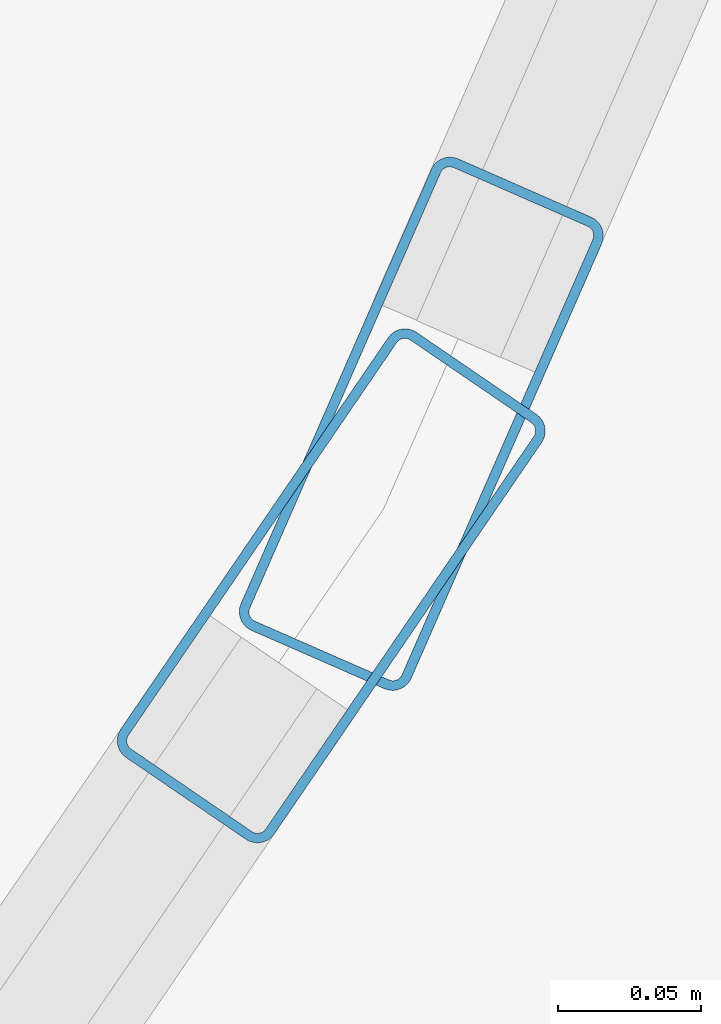
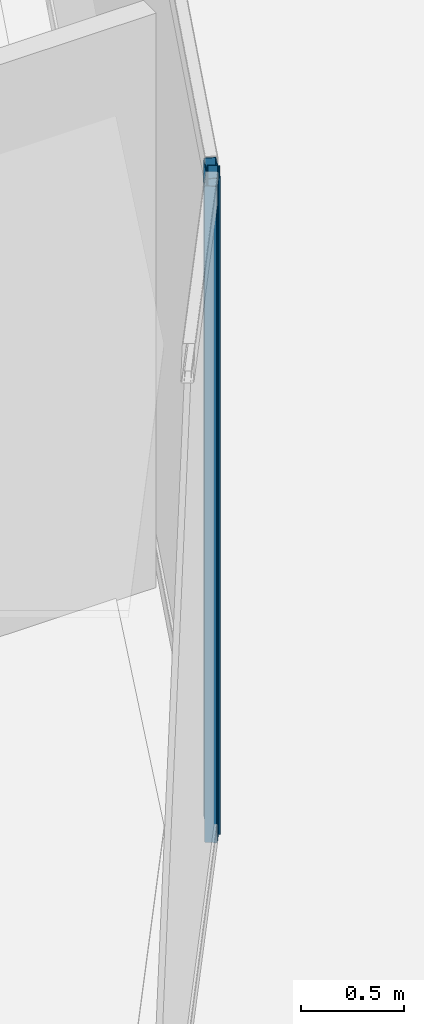
# One storey, part 11 of 45: 2 members, 2 elements without a shape of their own.
"""IFC4 building model written with IfcOpenShell, lengths in metres."""

from ifc_helpers import new_model, si_unit, direction, frame, origin, origin_2d, place, context, subcontext, project, spatial, hollow_rectangle, extrude, material, layer, layer_set, material_profile, profile_set, type_object, element, aggregate, save


model = new_model("IFC4")

# Units and contexts
model_context = context("Model", 3, precision=1e-05, world=origin(), true_north=direction((0.0, 1.0)))
body_context = subcontext(model_context, "Body", "Model", "MODEL_VIEW")
ifc_project = project(units=[si_unit("LENGTHUNIT", "METRE"), si_unit("AREAUNIT", "SQUARE_METRE"), si_unit("VOLUMEUNIT", "CUBIC_METRE"), si_unit("PLANEANGLEUNIT", "RADIAN"), si_unit("MASSUNIT", "GRAM", prefix="KILO")], contexts=[model_context])

# Site, building, storey
site_placement = place(None, origin())
site = spatial("IfcSite", under=ifc_project, at=site_placement, CompositionType="ELEMENT")
building_placement = place(site_placement, origin())
building = spatial("IfcBuilding", under=site, at=building_placement, Name="Qorvath Tower", CompositionType="ELEMENT")
storey_placement = place(building_placement, frame((0.0, 0.0, 95.39990234375)))
storey = spatial("IfcBuildingStorey", under=building, at=storey_placement, Name="L21", CompositionType="ELEMENT", Elevation=95.39990234375)

# Curtain wall, member
ifc_material_1 = material(Name="Anodised aluminium and triple low-E glass", Category="aluminium")
ifc_layer = layer(ifc_material_1, 0.179931640625)
ifc_layer_set = layer_set([ifc_layer], Name="CW-SYS-2")
curtain_wall_type = type_object("IfcCurtainWallType", Name="CW-SYS-2", PredefinedType="NOTDEFINED", material=ifc_layer_set)
curtain_wall_1_placement = place(storey_placement, origin())
curtain_wall_1 = element("IfcCurtainWall", 1, at=curtain_wall_1_placement, inside=storey, type_object=curtain_wall_type, Name="Curtain Wall CW-2 CW-T-L21-5.1", PredefinedType="NOTDEFINED")
ifc_material_2 = material(Name="Anodised aluminium 6063-T6", Category="aluminium")
ifc_material_profile = material_profile(ifc_material_2, hollow_rectangle(XDim=0.06494140625, YDim=0.179931640625, WallThickness=0.00341796875, InnerFilletRadius=0.00341796875, OuterFilletRadius=0.007080078125, at=origin_2d()), Name="CWM 180x65")
ifc_profile_set = profile_set([ifc_material_profile], Name="Anodised aluminium 6063-T6")
member_type = type_object("IfcMemberType", Name="CWM-180", PredefinedType="MULLION", material=ifc_profile_set)
member_1_placement = place(storey_placement, frame((1.104248046875, -18.544921875, 0.0), z_axis=(0.0, 0.0, 1.0), x_axis=(-0.825732659314, 0.564061676895, 0.0)))
member_1 = element("IfcMember", 2, at=member_1_placement, type_object=member_type, Name="CW-2 mullion 2", PredefinedType="MULLION", context=body_context, shape_type="SweptSolid", body=[
    extrude(hollow_rectangle(XDim=0.06494140625, YDim=0.179931640625, WallThickness=0.00341796875, InnerFilletRadius=0.00341796875, OuterFilletRadius=0.007080078125, at=origin_2d()), origin(), (0.0, 0.0, 1.0), 3.900146484375),
])
aggregate(curtain_wall_1, [member_1])

curtain_wall_2_placement = place(storey_placement, origin())
curtain_wall_2 = element("IfcCurtainWall", 3, at=curtain_wall_2_placement, inside=storey, type_object=curtain_wall_type, Name="Curtain Wall CW-2 CW-T-L21-6.1", PredefinedType="NOTDEFINED")
member_2_placement = place(storey_placement, frame((1.1357421875, -18.48828125, 0.0), z_axis=(0.0, 0.0, 1.0), x_axis=(-0.915869083062, 0.401477051262, 0.0)))
member_2 = element("IfcMember", 4, at=member_2_placement, type_object=member_type, Name="CW-2 mullion 1", PredefinedType="MULLION", context=body_context, shape_type="SweptSolid", body=[
    extrude(hollow_rectangle(XDim=0.06494140625, YDim=0.179931640625, WallThickness=0.00341796875, InnerFilletRadius=0.00341796875, OuterFilletRadius=0.007080078125, at=origin_2d()), origin(), (0.0, 0.0, 1.0), 3.900146484375),
])
aggregate(curtain_wall_2, [member_2])

save(model, "model.ifc")
